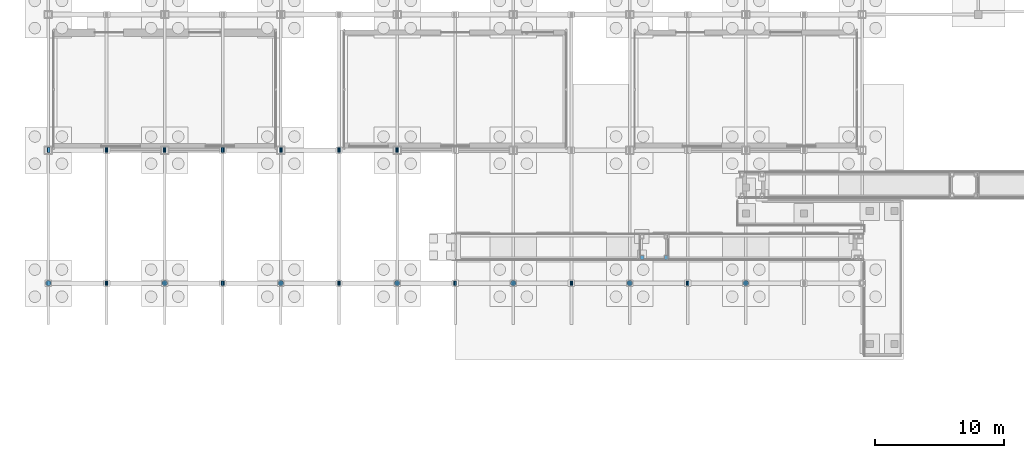
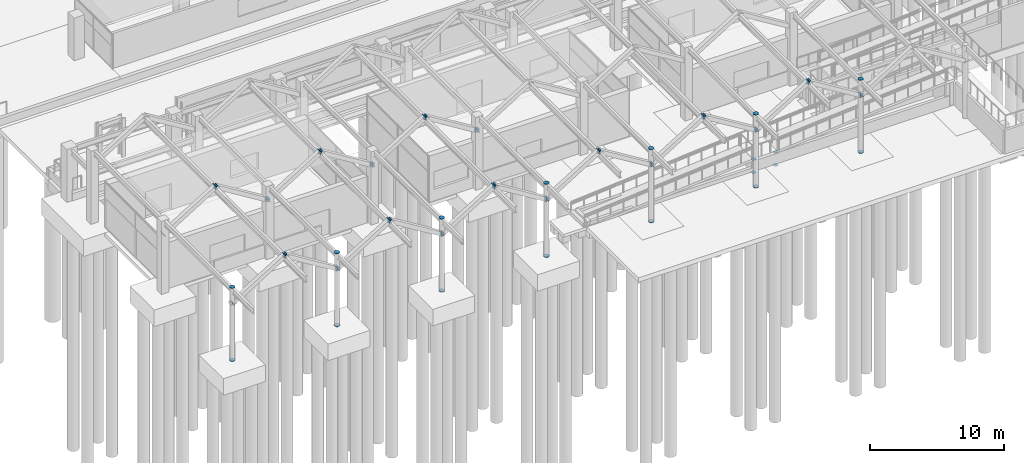
# One storey, part 117 of 160: 56 discrete accessories.
"""IFC4 building model written with IfcOpenShell, lengths in metres."""

from ifc_helpers import new_model, si_unit, direction, frame, origin, origin_2d, place, context, subcontext, project, spatial, rectangle, circle, extrude, material, element, save


model = new_model("IFC4")

# Units and contexts
model_context = context("Model", 3, precision=1e-05, world=origin(), true_north=direction((0.0, 1.0)))
body_context = subcontext(model_context, "Body", "Model", "MODEL_VIEW")
ifc_project = project(units=[si_unit("LENGTHUNIT", "METRE"), si_unit("AREAUNIT", "SQUARE_METRE"), si_unit("VOLUMEUNIT", "CUBIC_METRE"), si_unit("PLANEANGLEUNIT", "RADIAN"), si_unit("MASSUNIT", "GRAM", prefix="KILO")], contexts=[model_context])

# Site, building, storey
site_placement = place(None, origin())
site = spatial("IfcSite", under=ifc_project, at=site_placement, CompositionType="ELEMENT")
building_placement = place(site_placement, origin())
building = spatial("IfcBuilding", under=site, at=building_placement, Name="Marlcrest Central Station", CompositionType="ELEMENT")
storey_placement = place(building_placement, origin())
storey = spatial("IfcBuildingStorey", under=building, at=storey_placement, Name="L00", CompositionType="ELEMENT", Elevation=0.0)

# Discrete accessories
ifc_material = material(Name="Steel S355", Category="steel")
for number, where, z_axis, x_axis, name in (
    (1, (0.0, 12.199951171875, -0.014892578125), (0.0, 0.0, 1.0), (1.0, 0.0, 0.0), "endcap-col-SC-10-L00-0364-s"),
    (2, (0.0, 12.199951171875, 6.614990234375), (0.0, 0.0, 1.0), (1.0, 0.0, 0.0), "endcap-col-SC-10-L00-0364-e"),
):
    element("IfcDiscreteAccessory", number, at=place(storey_placement, frame(where, z_axis=z_axis, x_axis=x_axis)), inside=storey, material=ifc_material, Name=name, ObjectType="END_CAP_PLATE", PredefinedType="BRACKET", context=body_context, shape_type="SweptSolid", body=[
        extrude(circle(Radius=0.211181640625, at=origin_2d()), origin(), (0.0, 0.0, 1.0), 0.0400390625),
    ])
for number, where, z_axis, x_axis, name in (
    (3, (-0.0126953125, 12.199951171875, 5.192138671875), (0.851591684043, 0.0, 0.524205688322), (0.0, 1.0, 0.0), "endcap-mem-ST-02-L00-00019-s"),
    (4, (4.478759765625, 12.199951171875, 7.956787109375), (0.851591684043, 0.0, 0.524205688322), (0.0, 1.0, 0.0), "endcap-mem-ST-02-L00-00019-e"),
    (5, (9.0126953125, 12.199951171875, 5.192138671875), (-0.851591684043, 0.0, 0.524205688322), (0.0, -1.0, 0.0), "endcap-mem-ST-02-L00-00020-s"),
    (6, (4.521240234375, 12.199951171875, 7.956787109375), (-0.851591684043, 0.0, 0.524205688322), (0.0, -1.0, 0.0), "endcap-mem-ST-02-L00-00020-e"),
    (7, (-0.0126953125, 22.5, 5.192138671875), (0.851591684043, 0.0, 0.524205688322), (0.0, 1.0, 0.0), "endcap-mem-ST-02-L00-00021-s"),
    (8, (4.478759765625, 22.5, 7.956787109375), (0.851591684043, 0.0, 0.524205688322), (0.0, 1.0, 0.0), "endcap-mem-ST-02-L00-00021-e"),
    (9, (9.0126953125, 22.5, 5.192138671875), (-0.851591684043, 0.0, 0.524205688322), (0.0, -1.0, 0.0), "endcap-mem-ST-02-L00-00022-s"),
    (10, (4.521240234375, 22.5, 7.956787109375), (-0.851591684043, 0.0, 0.524205688322), (0.0, -1.0, 0.0), "endcap-mem-ST-02-L00-00022-e"),
):
    element("IfcDiscreteAccessory", number, at=place(storey_placement, frame(where, z_axis=z_axis, x_axis=x_axis)), inside=storey, material=ifc_material, Name=name, ObjectType="END_CAP_PLATE", PredefinedType="BRACKET", context=body_context, shape_type="SweptSolid", body=[
        extrude(rectangle(XDim=0.365966796875, YDim=0.365966796875, at=origin_2d()), origin(), (0.0, 0.0, 1.0), 0.0400390625),
    ])
for number, where, z_axis, x_axis, name in (
    (11, (9.0, 12.199951171875, -0.014892578125), (0.0, 0.0, 1.0), (1.0, 0.0, 0.0), "endcap-col-SC-10-L00-0367-s"),
    (12, (9.0, 12.199951171875, 6.614990234375), (0.0, 0.0, 1.0), (1.0, 0.0, 0.0), "endcap-col-SC-10-L00-0367-e"),
):
    element("IfcDiscreteAccessory", number, at=place(storey_placement, frame(where, z_axis=z_axis, x_axis=x_axis)), inside=storey, material=ifc_material, Name=name, ObjectType="END_CAP_PLATE", PredefinedType="BRACKET", context=body_context, shape_type="SweptSolid", body=[
        extrude(circle(Radius=0.211181640625, at=origin_2d()), origin(), (0.0, 0.0, 1.0), 0.0400390625),
    ])
for number, where, z_axis, x_axis, name in (
    (13, (8.9873046875, 12.199951171875, 5.192138671875), (0.851591684043, 0.0, 0.524205688322), (0.0, 1.0, 0.0), "endcap-mem-ST-02-L00-00025-s"),
    (14, (13.478759765625, 12.199951171875, 7.956787109375), (0.851591684043, 0.0, 0.524205688322), (0.0, 1.0, 0.0), "endcap-mem-ST-02-L00-00025-e"),
    (15, (18.0126953125, 12.199951171875, 5.192138671875), (-0.851591684043, 0.0, 0.524205688322), (0.0, -1.0, 0.0), "endcap-mem-ST-02-L00-00026-s"),
    (16, (13.521240234375, 12.199951171875, 7.956787109375), (-0.851591684043, 0.0, 0.524205688322), (0.0, -1.0, 0.0), "endcap-mem-ST-02-L00-00026-e"),
    (17, (8.9873046875, 22.5, 5.192138671875), (0.851591684043, 0.0, 0.524205688322), (0.0, 1.0, 0.0), "endcap-mem-ST-02-L00-00027-s"),
    (18, (13.478759765625, 22.5, 7.956787109375), (0.851591684043, 0.0, 0.524205688322), (0.0, 1.0, 0.0), "endcap-mem-ST-02-L00-00027-e"),
    (19, (18.0126953125, 22.5, 5.192138671875), (-0.851591684043, 0.0, 0.524205688322), (0.0, -1.0, 0.0), "endcap-mem-ST-02-L00-00028-s"),
    (20, (13.521240234375, 22.5, 7.956787109375), (-0.851591684043, 0.0, 0.524205688322), (0.0, -1.0, 0.0), "endcap-mem-ST-02-L00-00028-e"),
):
    element("IfcDiscreteAccessory", number, at=place(storey_placement, frame(where, z_axis=z_axis, x_axis=x_axis)), inside=storey, material=ifc_material, Name=name, ObjectType="END_CAP_PLATE", PredefinedType="BRACKET", context=body_context, shape_type="SweptSolid", body=[
        extrude(rectangle(XDim=0.365966796875, YDim=0.365966796875, at=origin_2d()), origin(), (0.0, 0.0, 1.0), 0.0400390625),
    ])
for number, where, z_axis, x_axis, name in (
    (21, (18.0, 12.199951171875, -0.014892578125), (0.0, 0.0, 1.0), (1.0, 0.0, 0.0), "endcap-col-SC-10-L00-0370-s"),
    (22, (18.0, 12.199951171875, 6.614990234375), (0.0, 0.0, 1.0), (1.0, 0.0, 0.0), "endcap-col-SC-10-L00-0370-e"),
):
    element("IfcDiscreteAccessory", number, at=place(storey_placement, frame(where, z_axis=z_axis, x_axis=x_axis)), inside=storey, material=ifc_material, Name=name, ObjectType="END_CAP_PLATE", PredefinedType="BRACKET", context=body_context, shape_type="SweptSolid", body=[
        extrude(circle(Radius=0.211181640625, at=origin_2d()), origin(), (0.0, 0.0, 1.0), 0.0400390625),
    ])
for number, where, z_axis, x_axis, name in (
    (23, (17.9873046875, 12.199951171875, 5.192138671875), (0.851591684043, 0.0, 0.524205688322), (0.0, 1.0, 0.0), "endcap-mem-ST-02-L00-00031-s"),
    (24, (22.478759765625, 12.199951171875, 7.956787109375), (0.851591684043, 0.0, 0.524205688322), (0.0, 1.0, 0.0), "endcap-mem-ST-02-L00-00031-e"),
    (25, (27.0126953125, 12.199951171875, 5.192138671875), (-0.851591684043, 0.0, 0.524205688322), (0.0, -1.0, 0.0), "endcap-mem-ST-02-L00-00032-s"),
    (26, (22.521240234375, 12.199951171875, 7.956787109375), (-0.851591684043, 0.0, 0.524205688322), (0.0, -1.0, 0.0), "endcap-mem-ST-02-L00-00032-e"),
    (27, (17.9873046875, 22.5, 5.192138671875), (0.851591684043, 0.0, 0.524205688322), (0.0, 1.0, 0.0), "endcap-mem-ST-02-L00-00033-s"),
    (28, (22.478759765625, 22.5, 7.956787109375), (0.851591684043, 0.0, 0.524205688322), (0.0, 1.0, 0.0), "endcap-mem-ST-02-L00-00033-e"),
    (29, (27.0126953125, 22.5, 5.192138671875), (-0.851591684043, 0.0, 0.524205688322), (0.0, -1.0, 0.0), "endcap-mem-ST-02-L00-00034-s"),
    (30, (22.521240234375, 22.5, 7.956787109375), (-0.851591684043, 0.0, 0.524205688322), (0.0, -1.0, 0.0), "endcap-mem-ST-02-L00-00034-e"),
):
    element("IfcDiscreteAccessory", number, at=place(storey_placement, frame(where, z_axis=z_axis, x_axis=x_axis)), inside=storey, material=ifc_material, Name=name, ObjectType="END_CAP_PLATE", PredefinedType="BRACKET", context=body_context, shape_type="SweptSolid", body=[
        extrude(rectangle(XDim=0.365966796875, YDim=0.365966796875, at=origin_2d()), origin(), (0.0, 0.0, 1.0), 0.0400390625),
    ])
for number, where, z_axis, x_axis, name in (
    (31, (27.0, 12.199951171875, -0.014892578125), (0.0, 0.0, 1.0), (1.0, 0.0, 0.0), "endcap-col-SC-10-L00-0373-s"),
    (32, (27.0, 12.199951171875, 6.614990234375), (0.0, 0.0, 1.0), (1.0, 0.0, 0.0), "endcap-col-SC-10-L00-0373-e"),
):
    element("IfcDiscreteAccessory", number, at=place(storey_placement, frame(where, z_axis=z_axis, x_axis=x_axis)), inside=storey, material=ifc_material, Name=name, ObjectType="END_CAP_PLATE", PredefinedType="BRACKET", context=body_context, shape_type="SweptSolid", body=[
        extrude(circle(Radius=0.211181640625, at=origin_2d()), origin(), (0.0, 0.0, 1.0), 0.0400390625),
    ])
for number, where, z_axis, x_axis, name in (
    (33, (26.9873046875, 12.199951171875, 5.192138671875), (0.851591684043, 0.0, 0.524205688322), (0.0, 1.0, 0.0), "endcap-mem-ST-02-L00-00037-s"),
    (34, (31.478759765625, 12.199951171875, 7.956787109375), (0.851591684043, 0.0, 0.524205688322), (0.0, 1.0, 0.0), "endcap-mem-ST-02-L00-00037-e"),
    (35, (36.0126953125, 12.199951171875, 5.192138671875), (-0.851591684043, 0.0, 0.524205688322), (0.0, -1.0, 0.0), "endcap-mem-ST-02-L00-00038-s"),
    (36, (31.521240234375, 12.199951171875, 7.956787109375), (-0.851591684043, 0.0, 0.524205688322), (0.0, -1.0, 0.0), "endcap-mem-ST-02-L00-00038-e"),
    (37, (26.9873046875, 22.5, 5.192138671875), (0.851591684043, 0.0, 0.524205688322), (0.0, 1.0, 0.0), "endcap-mem-ST-02-L00-00039-s"),
):
    element("IfcDiscreteAccessory", number, at=place(storey_placement, frame(where, z_axis=z_axis, x_axis=x_axis)), inside=storey, material=ifc_material, Name=name, ObjectType="END_CAP_PLATE", PredefinedType="BRACKET", context=body_context, shape_type="SweptSolid", body=[
        extrude(rectangle(XDim=0.365966796875, YDim=0.365966796875, at=origin_2d()), origin(), (0.0, 0.0, 1.0), 0.0400390625),
    ])
for number, where, z_axis, x_axis, name in (
    (38, (36.0, 12.199951171875, -0.014892578125), (0.0, 0.0, 1.0), (1.0, 0.0, 0.0), "endcap-col-SC-10-L00-0376-s"),
    (39, (36.0, 12.199951171875, 6.614990234375), (0.0, 0.0, 1.0), (1.0, 0.0, 0.0), "endcap-col-SC-10-L00-0376-e"),
):
    element("IfcDiscreteAccessory", number, at=place(storey_placement, frame(where, z_axis=z_axis, x_axis=x_axis)), inside=storey, material=ifc_material, Name=name, ObjectType="END_CAP_PLATE", PredefinedType="BRACKET", context=body_context, shape_type="SweptSolid", body=[
        extrude(circle(Radius=0.211181640625, at=origin_2d()), origin(), (0.0, 0.0, 1.0), 0.0400390625),
    ])
for number, where, z_axis, x_axis, name in (
    (40, (35.9873046875, 12.199951171875, 5.192138671875), (0.851591684043, 0.0, 0.524205688322), (0.0, 1.0, 0.0), "endcap-mem-ST-02-L00-00043-s"),
    (41, (40.478759765625, 12.199951171875, 7.956787109375), (0.851591684043, 0.0, 0.524205688322), (0.0, 1.0, 0.0), "endcap-mem-ST-02-L00-00043-e"),
    (42, (45.0126953125, 12.199951171875, 5.192138671875), (-0.851591684043, 0.0, 0.524205688322), (0.0, -1.0, 0.0), "endcap-mem-ST-02-L00-00044-s"),
    (43, (40.521240234375, 12.199951171875, 7.956787109375), (-0.851591684043, 0.0, 0.524205688322), (0.0, -1.0, 0.0), "endcap-mem-ST-02-L00-00044-e"),
):
    element("IfcDiscreteAccessory", number, at=place(storey_placement, frame(where, z_axis=z_axis, x_axis=x_axis)), inside=storey, material=ifc_material, Name=name, ObjectType="END_CAP_PLATE", PredefinedType="BRACKET", context=body_context, shape_type="SweptSolid", body=[
        extrude(rectangle(XDim=0.365966796875, YDim=0.365966796875, at=origin_2d()), origin(), (0.0, 0.0, 1.0), 0.0400390625),
    ])
for number, where, z_axis, x_axis, name in (
    (44, (45.0, 12.199951171875, -0.014892578125), (0.0, 0.0, 1.0), (1.0, 0.0, 0.0), "endcap-col-SC-10-L00-0379-s"),
    (45, (45.0, 12.199951171875, 6.614990234375), (0.0, 0.0, 1.0), (1.0, 0.0, 0.0), "endcap-col-SC-10-L00-0379-e"),
):
    element("IfcDiscreteAccessory", number, at=place(storey_placement, frame(where, z_axis=z_axis, x_axis=x_axis)), inside=storey, material=ifc_material, Name=name, ObjectType="END_CAP_PLATE", PredefinedType="BRACKET", context=body_context, shape_type="SweptSolid", body=[
        extrude(circle(Radius=0.211181640625, at=origin_2d()), origin(), (0.0, 0.0, 1.0), 0.0400390625),
    ])
for number, where, z_axis, x_axis, name in (
    (46, (44.9873046875, 12.199951171875, 5.192138671875), (0.851591684043, 0.0, 0.524205688322), (0.0, 1.0, 0.0), "endcap-mem-ST-02-L00-00049-s"),
    (47, (49.478759765625, 12.199951171875, 7.956787109375), (0.851591684043, 0.0, 0.524205688322), (0.0, 1.0, 0.0), "endcap-mem-ST-02-L00-00049-e"),
    (48, (54.0126953125, 12.199951171875, 5.192138671875), (-0.851591684043, 0.0, 0.524205688322), (0.0, -1.0, 0.0), "endcap-mem-ST-02-L00-00050-s"),
    (49, (49.521240234375, 12.199951171875, 7.956787109375), (-0.851591684043, 0.0, 0.524205688322), (0.0, -1.0, 0.0), "endcap-mem-ST-02-L00-00050-e"),
):
    element("IfcDiscreteAccessory", number, at=place(storey_placement, frame(where, z_axis=z_axis, x_axis=x_axis)), inside=storey, material=ifc_material, Name=name, ObjectType="END_CAP_PLATE", PredefinedType="BRACKET", context=body_context, shape_type="SweptSolid", body=[
        extrude(rectangle(XDim=0.365966796875, YDim=0.365966796875, at=origin_2d()), origin(), (0.0, 0.0, 1.0), 0.0400390625),
    ])
for number, where, z_axis, x_axis, name in (
    (50, (54.0, 12.199951171875, -0.014892578125), (0.0, 0.0, 1.0), (1.0, 0.0, 0.0), "endcap-col-SC-10-L00-0382-s"),
    (51, (54.0, 12.199951171875, 6.614990234375), (0.0, 0.0, 1.0), (1.0, 0.0, 0.0), "endcap-col-SC-10-L00-0382-e"),
):
    element("IfcDiscreteAccessory", number, at=place(storey_placement, frame(where, z_axis=z_axis, x_axis=x_axis)), inside=storey, material=ifc_material, Name=name, ObjectType="END_CAP_PLATE", PredefinedType="BRACKET", context=body_context, shape_type="SweptSolid", body=[
        extrude(circle(Radius=0.211181640625, at=origin_2d()), origin(), (0.0, 0.0, 1.0), 0.0400390625),
    ])
discrete_accessory_placement = place(storey_placement, frame((53.9873046875, 12.199951171875, 5.192138671875), z_axis=(0.851591684043, 0.0, 0.524205688322), x_axis=(0.0, 1.0, 0.0)))
element("IfcDiscreteAccessory", 52, at=discrete_accessory_placement, inside=storey, material=ifc_material, Name="endcap-mem-ST-02-L00-00055-s", ObjectType="END_CAP_PLATE", PredefinedType="BRACKET", context=body_context, shape_type="SweptSolid", body=[
    extrude(rectangle(XDim=0.365966796875, YDim=0.365966796875, at=origin_2d()), origin(), (0.0, 0.0, 1.0), 0.0400390625),
])
for number, where, z_axis, x_axis, name in (
    (53, (45.949951171875, 14.199951171875, -0.264892578125), (0.0, 0.0, 1.0), (1.0, 0.0, 0.0), "endcap-ramp-01-ldcol-2-459-142-s"),
    (54, (45.949951171875, 14.199951171875, 0.925048828125), (0.0, 0.0, 1.0), (1.0, 0.0, 0.0), "endcap-ramp-01-ldcol-2-459-142-e"),
    (55, (47.85009765625, 14.199951171875, -0.264892578125), (0.0, 0.0, 1.0), (1.0, 0.0, 0.0), "endcap-ramp-01-ldcol-2-478-142-s"),
    (56, (47.85009765625, 14.199951171875, 0.925048828125), (0.0, 0.0, 1.0), (1.0, 0.0, 0.0), "endcap-ramp-01-ldcol-2-478-142-e"),
):
    element("IfcDiscreteAccessory", number, at=place(storey_placement, frame(where, z_axis=z_axis, x_axis=x_axis)), inside=storey, material=ifc_material, Name=name, ObjectType="END_CAP_PLATE", PredefinedType="BRACKET", context=body_context, shape_type="SweptSolid", body=[
        extrude(rectangle(XDim=0.31591796875, YDim=0.31591796875, at=origin_2d()), origin(), (0.0, 0.0, 1.0), 0.0400390625),
    ])

save(model, "model.ifc")
